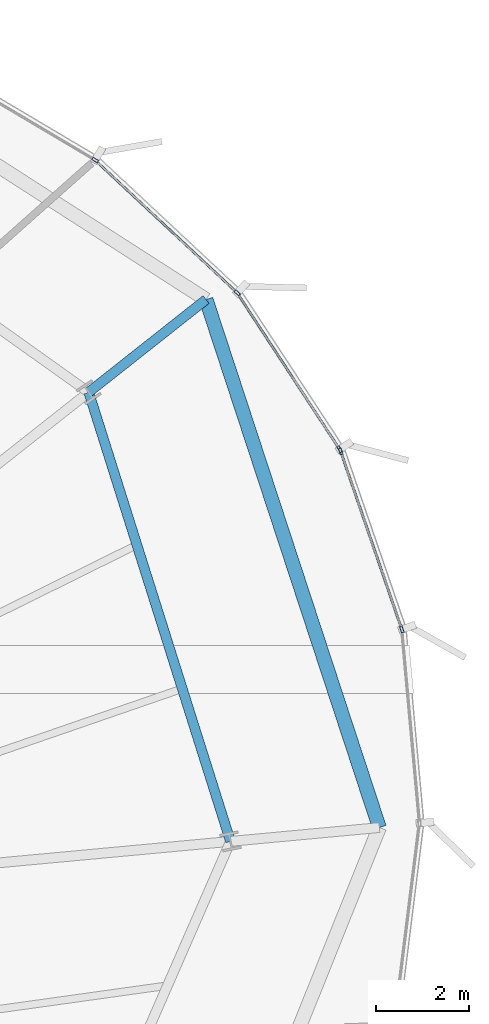
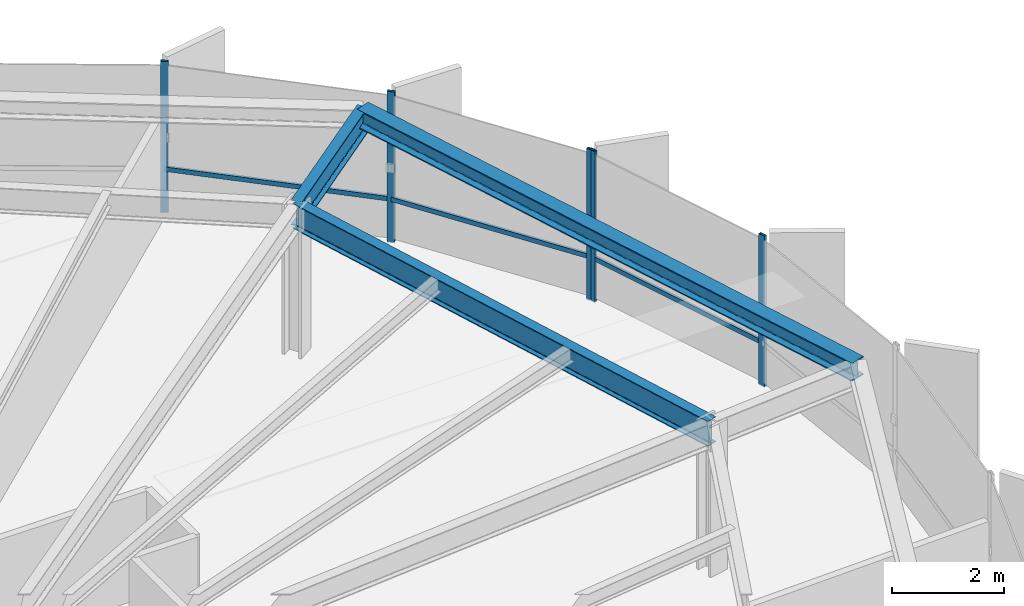
# One storey, part 26 of 35: 8 members, 3 beams, 2 elements without a shape of their own.
"""IFC4 building model written with IfcOpenShell, lengths in metres."""

from ifc_helpers import new_model, si_unit, direction, frame, origin, origin_2d, place, context, subcontext, project, spatial, hollow_rectangle, i_section, extrude, source, transform, mapped, material, layer, layer_set, material_profile, profile_set, type_object, element, aggregate, save


model = new_model("IFC4")

# Units and contexts
model_context = context("Model", 3, precision=1e-05, world=origin(), true_north=direction((0.0, 1.0)))
body_context = subcontext(model_context, "Body", "Model", "MODEL_VIEW")
ifc_project = project(units=[si_unit("LENGTHUNIT", "METRE"), si_unit("AREAUNIT", "SQUARE_METRE"), si_unit("VOLUMEUNIT", "CUBIC_METRE"), si_unit("PLANEANGLEUNIT", "RADIAN"), si_unit("MASSUNIT", "GRAM", prefix="KILO"), si_unit("THERMODYNAMICTEMPERATUREUNIT", "KELVIN")], contexts=[model_context])

# Site, building, storey
site_placement = place(None, origin())
site = spatial("IfcSite", under=ifc_project, at=site_placement, CompositionType="ELEMENT")
building_placement = place(site_placement, origin())
building = spatial("IfcBuilding", under=site, at=building_placement, Name="Kethvar Cultural Tower", CompositionType="ELEMENT")
storey_placement = place(building_placement, frame((0.0, 0.0, 139.449951171875)))
storey = spatial("IfcBuildingStorey", under=building, at=storey_placement, Name="L35", CompositionType="ELEMENT", Elevation=139.449951171875)

# Beams
ifc_material_1 = material(Name="Steel S355J2", Category="steel")
ifc_material_profile_1 = material_profile(ifc_material_1, i_section(OverallWidth=0.2099609375, OverallDepth=0.550048828125, WebThickness=0.010986328125, FlangeThickness=0.01708984375, FilletRadius=0.02392578125, at=origin_2d()), Name="Steel S355J2 — IPE550")
ifc_profile_set_1 = profile_set([ifc_material_profile_1], Name="Steel S355J2 — IPE550")
beam_type_1 = type_object("IfcBeamType", Name="BM-IPE550", PredefinedType="BEAM", material=ifc_profile_set_1)
shared_shape_1 = source(origin(), body_context, "Body", "SweptSolid", [
    extrude(i_section(OverallWidth=0.2099609375, OverallDepth=0.550048828125, WebThickness=0.010986328125, FlangeThickness=0.01708984375, FilletRadius=0.02392578125, at=origin_2d()), origin(), (0.0, 0.0, 1.0), 3.2001953125),
])
beam_1_placement = place(storey_placement, frame((68.568603515625, 42.34521484375, 3.02294921875), z_axis=(0.784650322996, 0.619938602301, 0.0), x_axis=(-0.619938602301, 0.784650322996, 0.0)))
element("IfcBeam", 1, at=beam_1_placement, inside=storey, type_object=beam_type_1, Name="L35 Perimeter Cantilever Beam RC-02", PredefinedType="BEAM", context=body_context, shape_type="MappedRepresentation", body=[
    mapped(shared_shape_1, transform((0.0, 0.0, 0.0), scale=1.0)),
])
shared_shape_2 = source(origin(), body_context, "Body", "SweptSolid", [
    extrude(i_section(OverallWidth=0.2099609375, OverallDepth=0.550048828125, WebThickness=0.010986328125, FlangeThickness=0.01708984375, FilletRadius=0.02392578125, at=origin_2d()), origin(), (0.0, 0.0, 1.0), 10.079345703125),
])
beam_2_placement = place(storey_placement, frame((71.6025390625, 32.7333984375, 3.02294921875), z_axis=(-0.301007326566, 0.953621827222, 0.0), x_axis=(-0.953621827222, -0.301007326566, 0.0)))
element("IfcBeam", 2, at=beam_2_placement, inside=storey, type_object=beam_type_1, Name="L35 Column Ring Tie Beam CR-01", PredefinedType="BEAM", context=body_context, shape_type="MappedRepresentation", body=[
    mapped(shared_shape_2, transform((0.0, 0.0, 0.0), scale=1.0)),
])
ifc_material_profile_2 = material_profile(ifc_material_1, i_section(OverallWidth=0.300048828125, OverallDepth=0.39990234375, WebThickness=0.013427734375, FlangeThickness=0.02392578125, FilletRadius=0.027099609375, at=origin_2d()), Name="Steel S355J2 — HEB400")
ifc_profile_set_2 = profile_set([ifc_material_profile_2], Name="Steel S355J2 — HEB400")
beam_type_2 = type_object("IfcBeamType", Name="BM-SP400", PredefinedType="SPANDREL", material=ifc_profile_set_2)
shared_shape_3 = source(origin(), body_context, "Body", "SweptSolid", [
    extrude(i_section(OverallWidth=0.300048828125, OverallDepth=0.39990234375, WebThickness=0.013427734375, FlangeThickness=0.02392578125, FilletRadius=0.027099609375, at=origin_2d()), origin(), (0.0, 0.0, 1.0), 11.8935546875),
])
beam_3_placement = place(storey_placement, frame((74.788818359375, 33.02880859375, 3.09814453125), z_axis=(-0.311870604739, 0.95012458441, 0.0), x_axis=(-0.95012458441, -0.311870604739, 0.0)))
element("IfcBeam", 3, at=beam_3_placement, inside=storey, type_object=beam_type_2, Name="L35 Perimeter Spandrel Beam SP-01", PredefinedType="SPANDREL", context=body_context, shape_type="MappedRepresentation", body=[
    mapped(shared_shape_3, transform((0.0, 0.0, 0.0), scale=1.0)),
])

# Curtain wall, members
ifc_material_2 = material(Name="Aluminium 6063-T6", Category="aluminium")
ifc_layer = layer(ifc_material_2, 0.179931640625, Name="Aluminium 6063-T6", Category="aluminium")
ifc_layer_set = layer_set([ifc_layer], Name="Aluminium 6063-T6 (180 mm)")
curtain_wall_type = type_object("IfcCurtainWallType", Name="CW-SYS-04-Z34", PredefinedType="NOTDEFINED", material=ifc_layer_set)
curtain_wall_1_placement = place(storey_placement, origin())
curtain_wall_1 = element("IfcCurtainWall", 4, at=curtain_wall_1_placement, inside=storey, type_object=curtain_wall_type, Name="L35 Curtain Wall Run 01", PredefinedType="NOTDEFINED")
ifc_material_profile_3 = material_profile(ifc_material_2, hollow_rectangle(XDim=0.06005859375, YDim=0.139892578125, WallThickness=0.0048828125, at=origin_2d()), Name="Aluminium 6063-T6 — RHS140x60x5")
ifc_profile_set_3 = profile_set([ifc_material_profile_3], Name="Aluminium 6063-T6 — RHS140x60x5")
member_type_1 = type_object("IfcMemberType", Name="CW-SYS-04-Z34-MUL", PredefinedType="MULLION", material=ifc_profile_set_3)
shared_shape_4 = source(origin(), body_context, "Body", "SweptSolid", [
    extrude(hollow_rectangle(XDim=0.06005859375, YDim=0.139892578125, WallThickness=0.0048828125, at=origin_2d()), origin(), (0.0, 0.0, 1.0), 3.300048828125),
])
member_1_placement = place(storey_placement, frame((73.93896484375, 41.123046875, 0.0), z_axis=(0.0, 0.0, 1.0), x_axis=(-0.836343568395, -0.548205650832, 0.0)))
member_1 = element("IfcMember", 5, at=member_1_placement, type_object=member_type_1, Name="CW-L35-R01 Mullion 1", PredefinedType="MULLION", context=body_context, shape_type="MappedRepresentation", body=[
    mapped(shared_shape_4, transform((0.0, 0.0, 0.0), scale=1.0)),
])
member_2_placement = place(storey_placement, frame((71.747802734375, 44.4716796875, 0.0), z_axis=(0.0, 0.0, 1.0), x_axis=(-0.682368444061, -0.731008417564, 0.0)))
member_2 = element("IfcMember", 6, at=member_2_placement, type_object=member_type_1, Name="CW-L35-R01 Mullion 2", PredefinedType="MULLION", context=body_context, shape_type="MappedRepresentation", body=[
    mapped(shared_shape_4, transform((0.0, 0.0, 0.0), scale=1.0)),
])
member_3_placement = place(storey_placement, frame((68.705810546875, 47.314697265625, 0.0), z_axis=(0.0, 0.0, 1.0), x_axis=(-0.510227731309, -0.860039337591, 0.0)))
member_3 = element("IfcMember", 7, at=member_3_placement, type_object=member_type_1, Name="CW-L35-R01 Mullion 3", PredefinedType="MULLION", context=body_context, shape_type="MappedRepresentation", body=[
    mapped(shared_shape_4, transform((0.0, 0.0, 0.0), scale=1.0)),
])

curtain_wall_2_placement = place(storey_placement, origin())
curtain_wall_2 = element("IfcCurtainWall", 8, at=curtain_wall_2_placement, inside=storey, type_object=curtain_wall_type, Name="L35 Curtain Wall Run 06", PredefinedType="NOTDEFINED")
member_4_placement = place(storey_placement, frame((75.269287109375, 37.268798828125, 0.0), z_axis=(0.0, 0.0, 1.0), x_axis=(-0.945773984582, -0.324825445567, 0.0)))
member_4 = element("IfcMember", 9, at=member_4_placement, type_object=member_type_1, Name="CW-L35-R06 Mullion 6", PredefinedType="MULLION", context=body_context, shape_type="MappedRepresentation", body=[
    mapped(shared_shape_4, transform((0.0, 0.0, 0.0), scale=1.0)),
])
member_5_placement = place(storey_placement, frame((73.9609375, 41.078125, 0.0), z_axis=(0.0, 0.0, 1.0), x_axis=(-0.945773984582, -0.324825445567, 0.0)))
member_5 = element("IfcMember", 10, at=member_5_placement, type_object=member_type_1, Name="CW-L35-R06 Mullion 7", PredefinedType="MULLION", context=body_context, shape_type="MappedRepresentation", body=[
    mapped(shared_shape_4, transform((0.0, 0.0, 0.0), scale=1.0)),
])

# Member
ifc_material_profile_4 = material_profile(ifc_material_2, hollow_rectangle(XDim=0.050048828125, YDim=0.10009765625, WallThickness=0.00390625, at=origin_2d()), Name="Aluminium 6063-T6 — RHS100x50x4")
ifc_profile_set_4 = profile_set([ifc_material_profile_4], Name="Aluminium 6063-T6 — RHS100x50x4")
member_type_2 = type_object("IfcMemberType", Name="CW-SYS-04-Z34-TRN", PredefinedType="USERDEFINED", material=ifc_profile_set_4)
shared_shape_5 = source(origin(), body_context, "Body", "SweptSolid", [
    extrude(hollow_rectangle(XDim=0.050048828125, YDim=0.10009765625, WallThickness=0.00390625, at=origin_2d()), origin(), (0.0, 0.0, 1.0), 3.98046875),
])
member_6_placement = place(storey_placement, frame((73.9365234375, 41.12646484375, 0.949951171875), z_axis=(-0.548200857696, 0.836346710175, 0.0), x_axis=(-0.836346710175, -0.548200857696, 0.0)))
member_6 = element("IfcMember", 11, at=member_6_placement, type_object=member_type_2, Name="CW-L35-R01 Transom 1", ObjectType="TRANSOM", PredefinedType="USERDEFINED", context=body_context, shape_type="MappedRepresentation", body=[
    mapped(shared_shape_5, transform((0.0, 0.0, 0.0), scale=1.0)),
])

member_7_placement = place(storey_placement, frame((75.255126953125, 37.3095703125, 0.949951171875), z_axis=(-0.324771199083, 0.945792613762, 0.0), x_axis=(-0.945792613762, -0.324771199083, 0.0)))
member_7 = element("IfcMember", 12, at=member_7_placement, type_object=member_type_2, Name="CW-L35-R06 Transom 6", ObjectType="TRANSOM", PredefinedType="USERDEFINED", context=body_context, shape_type="MappedRepresentation", body=[
    mapped(shared_shape_5, transform((0.0, 0.0, 0.0), scale=1.0)),
])

aggregate(curtain_wall_2, [member_4, member_5, member_7])

shared_shape_6 = source(origin(), body_context, "Body", "SweptSolid", [
    extrude(hollow_rectangle(XDim=0.050048828125, YDim=0.10009765625, WallThickness=0.00390625, at=origin_2d()), origin(), (0.0, 0.0, 1.0), 4.100830078125),
])
member_8_placement = place(storey_placement, frame((71.71630859375, 44.501220703125, 0.949951171875), z_axis=(-0.731065166764, 0.682307644648, 0.0), x_axis=(-0.682307644648, -0.731065166764, 0.0)))
member_8 = element("IfcMember", 13, at=member_8_placement, type_object=member_type_2, Name="CW-L35-R01 Transom 2", ObjectType="TRANSOM", PredefinedType="USERDEFINED", context=body_context, shape_type="MappedRepresentation", body=[
    mapped(shared_shape_6, transform((0.0, 0.0, 0.0), scale=1.0)),
])

aggregate(curtain_wall_1, [member_1, member_2, member_3, member_6, member_8])

save(model, "model.ifc")
